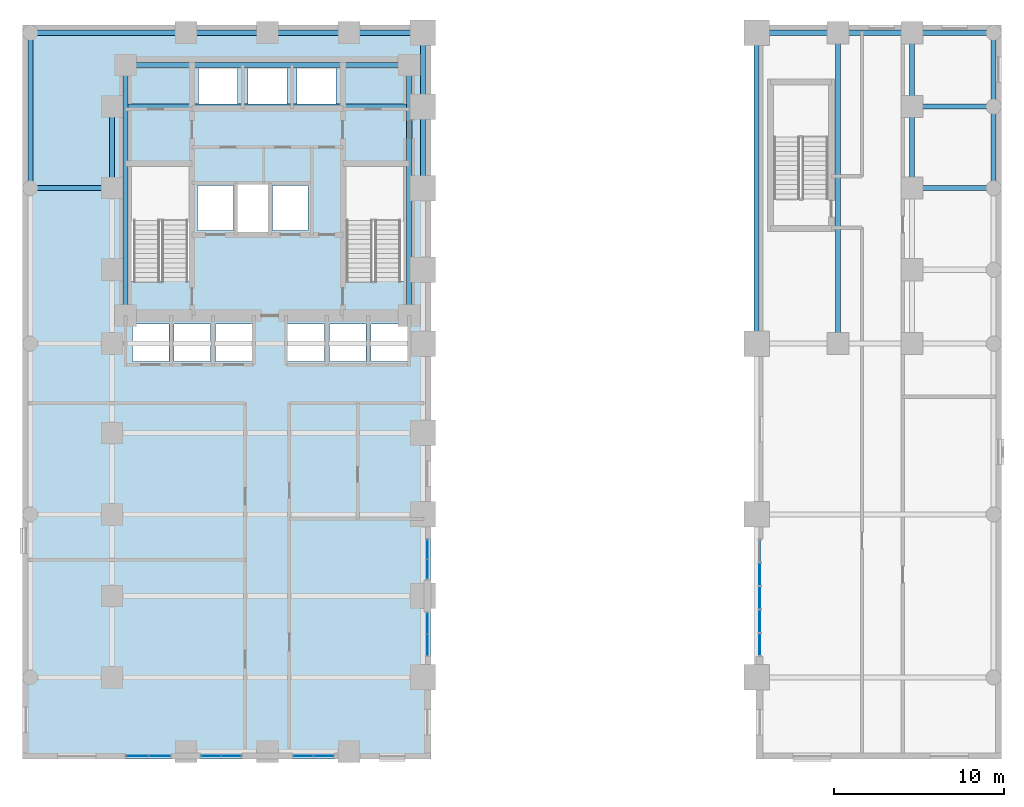
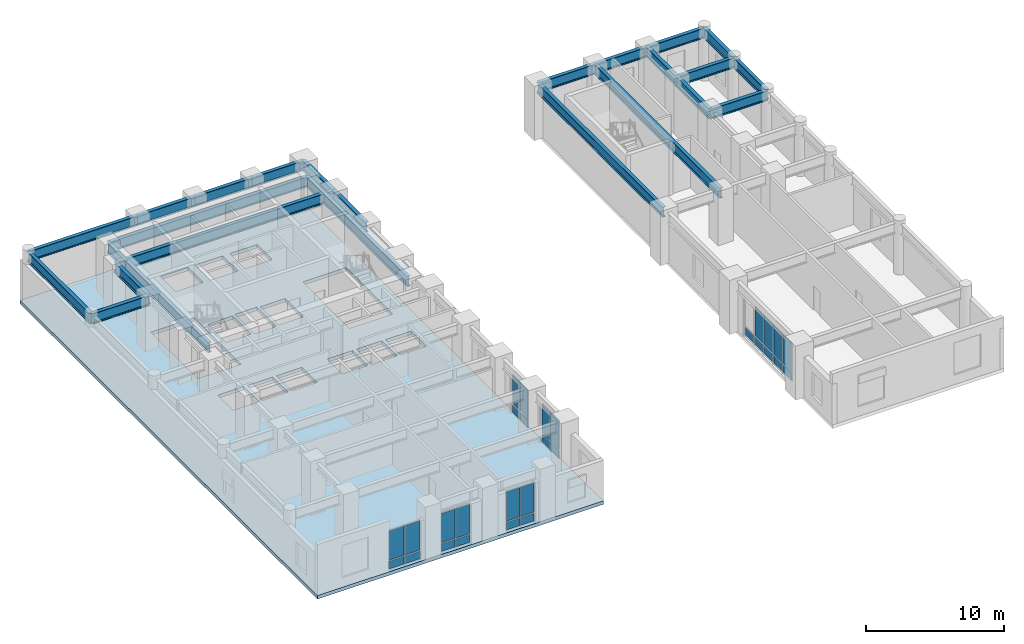
# One storey, part 5 of 11: 29 plates, 24 beams, 1 slab, 6 elements without a shape of their own.
"""IFC4 building model written with IfcOpenShell, lengths in metres."""

from ifc_helpers import new_model, si_unit, direction, frame, origin, origin_2d, place, context, subcontext, project, spatial, polyline, rectangle, i_section, outline, extrude, material, layer, layer_set, material_profile, profile_set, type_object, element, aggregate, save


model = new_model("IFC4")

# Units and contexts
model_context = context("Model", 3, precision=1e-05, world=origin(), true_north=direction((0.0, 1.0)))
body_context = subcontext(model_context, "Body", "Model", "MODEL_VIEW")
ifc_project = project(units=[si_unit("LENGTHUNIT", "METRE"), si_unit("AREAUNIT", "SQUARE_METRE"), si_unit("VOLUMEUNIT", "CUBIC_METRE"), si_unit("PLANEANGLEUNIT", "RADIAN"), si_unit("MASSUNIT", "GRAM", prefix="KILO")], contexts=[model_context])

# Site, building, storey
site_placement = place(None, origin())
site = spatial("IfcSite", under=ifc_project, at=site_placement, CompositionType="ELEMENT")
building_placement = place(site_placement, origin())
building = spatial("IfcBuilding", under=site, at=building_placement, Name="Orvandelia Arch Residences", CompositionType="ELEMENT")
storey_placement = place(building_placement, frame((0.0, 0.0, 5.199951171875)))
storey = spatial("IfcBuildingStorey", under=building, at=storey_placement, Name="L01", CompositionType="ELEMENT", Elevation=5.199951171875)

# Beams
ifc_material_1 = material(Name="Structural Steel HSA650 (650 MPa)", Category="steel")
ifc_material_profile = material_profile(ifc_material_1, i_section(OverallWidth=0.300048828125, OverallDepth=0.89990234375, WebThickness=0.01611328125, FlangeThickness=0.028076171875, FilletRadius=0.028076171875, at=origin_2d()), Name="Structural Steel HSA650 (650 MPa)", Category="steel")
ifc_profile_set = profile_set([ifc_material_profile], Name="Structural Steel HSA650 (650 MPa)")
beam_type = type_object("IfcBeamType", Name="BM-GRD-H900", PredefinedType="BEAM", material=ifc_profile_set)
beam_1_placement = place(storey_placement, frame((0.449951171875, 38.39990234375, 4.070068359375), z_axis=(0.0, 1.0, 0.0), x_axis=(-1.0, 0.0, 0.0)))
element("IfcBeam", 1, at=beam_1_placement, inside=storey, type_object=beam_type, Name="Structural Frame Beam L01-NS-004", PredefinedType="BEAM", context=body_context, shape_type="SweptSolid", body=[
    extrude(i_section(OverallWidth=0.300048828125, OverallDepth=0.89990234375, WebThickness=0.01611328125, FlangeThickness=0.028076171875, FilletRadius=0.028076171875, at=origin_2d()), origin(), (0.0, 0.0, 1.0), 9.150146484375),
])
beam_2_placement = place(storey_placement, frame((5.25, 38.39990234375, 4.070068359375), z_axis=(0.0, 1.0, 0.0), x_axis=(-1.0, 0.0, 0.0)))
element("IfcBeam", 2, at=beam_2_placement, inside=storey, type_object=beam_type, Name="Structural Frame Beam L01-NS-011", PredefinedType="BEAM", context=body_context, shape_type="SweptSolid", body=[
    extrude(i_section(OverallWidth=0.300048828125, OverallDepth=0.89990234375, WebThickness=0.01611328125, FlangeThickness=0.028076171875, FilletRadius=0.028076171875, at=origin_2d()), origin(), (0.0, 0.0, 1.0), 4.800048828125),
])
for number, where, z_axis, x_axis, name in (
    (3, (6.050048828125, 30.89990234375, 4.070068359375), (0.0, 1.0, 0.0), (-1.0, 0.0, 0.0), "Structural Frame Beam L01-NS-012"),
    (4, (22.75, 30.89990234375, 4.070068359375), (0.0, 1.0, 0.0), (-1.0, 0.0, 0.0), "Structural Frame Beam L01-NS-013"),
):
    element("IfcBeam", number, at=place(storey_placement, frame(where, z_axis=z_axis, x_axis=x_axis)), inside=storey, type_object=beam_type, Name=name, PredefinedType="BEAM", context=body_context, shape_type="SweptSolid", body=[
        extrude(i_section(OverallWidth=0.300048828125, OverallDepth=0.89990234375, WebThickness=0.01611328125, FlangeThickness=0.028076171875, FilletRadius=0.028076171875, at=origin_2d()), origin(), (0.0, 0.0, 1.0), 14.75),
    ])
beam_3_placement = place(storey_placement, frame((23.550048828125, 38.39990234375, 4.070068359375), z_axis=(0.0, 1.0, 0.0), x_axis=(-1.0, 0.0, 0.0)))
element("IfcBeam", 5, at=beam_3_placement, inside=storey, type_object=beam_type, Name="Structural Frame Beam L01-NS-020", PredefinedType="BEAM", context=body_context, shape_type="SweptSolid", body=[
    extrude(i_section(OverallWidth=0.300048828125, OverallDepth=0.89990234375, WebThickness=0.01611328125, FlangeThickness=0.028076171875, FilletRadius=0.028076171875, at=origin_2d()), origin(), (0.0, 0.0, 1.0), 4.800048828125),
])
beam_4_placement = place(storey_placement, frame((23.550048828125, 43.199951171875, 4.070068359375), z_axis=(0.0, 1.0, 0.0), x_axis=(-1.0, 0.0, 0.0)))
element("IfcBeam", 6, at=beam_4_placement, inside=storey, type_object=beam_type, Name="Structural Frame Beam L01-NS-021", PredefinedType="BEAM", context=body_context, shape_type="SweptSolid", body=[
    extrude(i_section(OverallWidth=0.300048828125, OverallDepth=0.89990234375, WebThickness=0.01611328125, FlangeThickness=0.028076171875, FilletRadius=0.028076171875, at=origin_2d()), origin(), (0.0, 0.0, 1.0), 4.35009765625),
])
for number, where, z_axis, x_axis, name in (
    (7, (43.199951171875, 29.25, 4.070068359375), (0.0, 1.0, 0.0), (-1.0, 0.0, 0.0), "Structural Frame Beam L01-NS-024"),
    (8, (48.0, 29.25, 4.070068359375), (0.0, 1.0, 0.0), (-1.0, 0.0, 0.0), "Structural Frame Beam L01-NS-025"),
):
    element("IfcBeam", number, at=place(storey_placement, frame(where, z_axis=z_axis, x_axis=x_axis)), inside=storey, type_object=beam_type, Name=name, PredefinedType="BEAM", context=body_context, shape_type="SweptSolid", body=[
        extrude(i_section(OverallWidth=0.300048828125, OverallDepth=0.89990234375, WebThickness=0.01611328125, FlangeThickness=0.028076171875, FilletRadius=0.028076171875, at=origin_2d()), origin(), (0.0, 0.0, 1.0), 18.300048828125),
    ])
beam_5_placement = place(storey_placement, frame((52.35009765625, 38.39990234375, 4.070068359375), z_axis=(0.0, 1.0, 0.0), x_axis=(-1.0, 0.0, 0.0)))
element("IfcBeam", 9, at=beam_5_placement, inside=storey, type_object=beam_type, Name="Structural Frame Beam L01-NS-028", PredefinedType="BEAM", context=body_context, shape_type="SweptSolid", body=[
    extrude(i_section(OverallWidth=0.300048828125, OverallDepth=0.89990234375, WebThickness=0.01611328125, FlangeThickness=0.028076171875, FilletRadius=0.028076171875, at=origin_2d()), origin(), (0.0, 0.0, 1.0), 4.800048828125),
])
beam_6_placement = place(storey_placement, frame((52.35009765625, 43.199951171875, 4.070068359375), z_axis=(0.0, 1.0, 0.0), x_axis=(-1.0, 0.0, 0.0)))
element("IfcBeam", 10, at=beam_6_placement, inside=storey, type_object=beam_type, Name="Structural Frame Beam L01-NS-029", PredefinedType="BEAM", context=body_context, shape_type="SweptSolid", body=[
    extrude(i_section(OverallWidth=0.300048828125, OverallDepth=0.89990234375, WebThickness=0.01611328125, FlangeThickness=0.028076171875, FilletRadius=0.028076171875, at=origin_2d()), origin(), (0.0, 0.0, 1.0), 4.35009765625),
])
beam_7_placement = place(storey_placement, frame((57.14990234375, 38.39990234375, 4.070068359375), z_axis=(0.0, 1.0, 0.0), x_axis=(-1.0, 0.0, 0.0)))
element("IfcBeam", 11, at=beam_7_placement, inside=storey, type_object=beam_type, Name="Structural Frame Beam L01-NS-034", PredefinedType="BEAM", context=body_context, shape_type="SweptSolid", body=[
    extrude(i_section(OverallWidth=0.300048828125, OverallDepth=0.89990234375, WebThickness=0.01611328125, FlangeThickness=0.028076171875, FilletRadius=0.028076171875, at=origin_2d()), origin(), (0.0, 0.0, 1.0), 4.800048828125),
])
beam_8_placement = place(storey_placement, frame((57.14990234375, 43.199951171875, 4.070068359375), z_axis=(0.0, 1.0, 0.0), x_axis=(-1.0, 0.0, 0.0)))
element("IfcBeam", 12, at=beam_8_placement, inside=storey, type_object=beam_type, Name="Structural Frame Beam L01-NS-035", PredefinedType="BEAM", context=body_context, shape_type="SweptSolid", body=[
    extrude(i_section(OverallWidth=0.300048828125, OverallDepth=0.89990234375, WebThickness=0.01611328125, FlangeThickness=0.028076171875, FilletRadius=0.028076171875, at=origin_2d()), origin(), (0.0, 0.0, 1.0), 4.35009765625),
])
beam_9_placement = place(storey_placement, frame((0.449951171875, 38.39990234375, 4.070068359375), z_axis=(1.0, 0.0, 0.0), x_axis=(0.0, 1.0, 0.0)))
element("IfcBeam", 13, at=beam_9_placement, inside=storey, type_object=beam_type, Name="Structural Frame Girder L01-EW-054", PredefinedType="BEAM", context=body_context, shape_type="SweptSolid", body=[
    extrude(i_section(OverallWidth=0.300048828125, OverallDepth=0.89990234375, WebThickness=0.01611328125, FlangeThickness=0.028076171875, FilletRadius=0.028076171875, at=origin_2d()), origin(), (0.0, 0.0, 1.0), 4.800048828125),
])
beam_10_placement = place(storey_placement, frame((52.35009765625, 38.39990234375, 4.070068359375), z_axis=(1.0, 0.0, 0.0), x_axis=(0.0, 1.0, 0.0)))
element("IfcBeam", 14, at=beam_10_placement, inside=storey, type_object=beam_type, Name="Structural Frame Girder L01-EW-056", PredefinedType="BEAM", context=body_context, shape_type="SweptSolid", body=[
    extrude(i_section(OverallWidth=0.300048828125, OverallDepth=0.89990234375, WebThickness=0.01611328125, FlangeThickness=0.028076171875, FilletRadius=0.028076171875, at=origin_2d()), origin(), (0.0, 0.0, 1.0), 4.7998046875),
])
beam_11_placement = place(storey_placement, frame((5.25, 43.199951171875, 4.070068359375), z_axis=(1.0, 0.0, 0.0), x_axis=(0.0, 1.0, 0.0)))
element("IfcBeam", 15, at=beam_11_placement, inside=storey, type_object=beam_type, Name="Structural Frame Girder L01-EW-057", PredefinedType="BEAM", context=body_context, shape_type="SweptSolid", body=[
    extrude(i_section(OverallWidth=0.300048828125, OverallDepth=0.89990234375, WebThickness=0.01611328125, FlangeThickness=0.028076171875, FilletRadius=0.028076171875, at=origin_2d()), origin(), (0.0, 0.0, 1.0), 18.300048828125),
])
beam_12_placement = place(storey_placement, frame((52.35009765625, 43.199951171875, 4.070068359375), z_axis=(1.0, 0.0, 0.0), x_axis=(0.0, 1.0, 0.0)))
element("IfcBeam", 16, at=beam_12_placement, inside=storey, type_object=beam_type, Name="Structural Frame Girder L01-EW-058", PredefinedType="BEAM", context=body_context, shape_type="SweptSolid", body=[
    extrude(i_section(OverallWidth=0.300048828125, OverallDepth=0.89990234375, WebThickness=0.01611328125, FlangeThickness=0.028076171875, FilletRadius=0.028076171875, at=origin_2d()), origin(), (0.0, 0.0, 1.0), 4.7998046875),
])
beam_13_placement = place(storey_placement, frame((6.050048828125, 45.64990234375, 4.070068359375), z_axis=(1.0, 0.0, 0.0), x_axis=(0.0, 1.0, 0.0)))
element("IfcBeam", 17, at=beam_13_placement, inside=storey, type_object=beam_type, Name="Structural Frame Girder L01-EW-059", PredefinedType="BEAM", context=body_context, shape_type="SweptSolid", body=[
    extrude(i_section(OverallWidth=0.300048828125, OverallDepth=0.89990234375, WebThickness=0.01611328125, FlangeThickness=0.028076171875, FilletRadius=0.028076171875, at=origin_2d()), origin(), (0.0, 0.0, 1.0), 16.699951171875),
])
beam_14_placement = place(storey_placement, frame((0.449951171875, 47.550048828125, 4.070068359375), z_axis=(1.0, 0.0, 0.0), x_axis=(0.0, 1.0, 0.0)))
element("IfcBeam", 18, at=beam_14_placement, inside=storey, type_object=beam_type, Name="Structural Frame Girder L01-EW-060", PredefinedType="BEAM", context=body_context, shape_type="SweptSolid", body=[
    extrude(i_section(OverallWidth=0.300048828125, OverallDepth=0.89990234375, WebThickness=0.01611328125, FlangeThickness=0.028076171875, FilletRadius=0.028076171875, at=origin_2d()), origin(), (0.0, 0.0, 1.0), 9.150146484375),
])
beam_15_placement = place(storey_placement, frame((9.60009765625, 47.550048828125, 4.070068359375), z_axis=(1.0, 0.0, 0.0), x_axis=(0.0, 1.0, 0.0)))
element("IfcBeam", 19, at=beam_15_placement, inside=storey, type_object=beam_type, Name="Structural Frame Girder L01-EW-061", PredefinedType="BEAM", context=body_context, shape_type="SweptSolid", body=[
    extrude(i_section(OverallWidth=0.300048828125, OverallDepth=0.89990234375, WebThickness=0.01611328125, FlangeThickness=0.028076171875, FilletRadius=0.028076171875, at=origin_2d()), origin(), (0.0, 0.0, 1.0), 4.7998046875),
])
beam_16_placement = place(storey_placement, frame((14.39990234375, 47.550048828125, 4.070068359375), z_axis=(1.0, 0.0, 0.0), x_axis=(0.0, 1.0, 0.0)))
element("IfcBeam", 20, at=beam_16_placement, inside=storey, type_object=beam_type, Name="Structural Frame Girder L01-EW-062", PredefinedType="BEAM", context=body_context, shape_type="SweptSolid", body=[
    extrude(i_section(OverallWidth=0.300048828125, OverallDepth=0.89990234375, WebThickness=0.01611328125, FlangeThickness=0.028076171875, FilletRadius=0.028076171875, at=origin_2d()), origin(), (0.0, 0.0, 1.0), 4.800048828125),
])
beam_17_placement = place(storey_placement, frame((19.199951171875, 47.550048828125, 4.070068359375), z_axis=(1.0, 0.0, 0.0), x_axis=(0.0, 1.0, 0.0)))
element("IfcBeam", 21, at=beam_17_placement, inside=storey, type_object=beam_type, Name="Structural Frame Girder L01-EW-063", PredefinedType="BEAM", context=body_context, shape_type="SweptSolid", body=[
    extrude(i_section(OverallWidth=0.300048828125, OverallDepth=0.89990234375, WebThickness=0.01611328125, FlangeThickness=0.028076171875, FilletRadius=0.028076171875, at=origin_2d()), origin(), (0.0, 0.0, 1.0), 4.35009765625),
])
beam_18_placement = place(storey_placement, frame((43.199951171875, 47.550048828125, 4.070068359375), z_axis=(1.0, 0.0, 0.0), x_axis=(0.0, 1.0, 0.0)))
element("IfcBeam", 22, at=beam_18_placement, inside=storey, type_object=beam_type, Name="Structural Frame Girder L01-EW-064", PredefinedType="BEAM", context=body_context, shape_type="SweptSolid", body=[
    extrude(i_section(OverallWidth=0.300048828125, OverallDepth=0.89990234375, WebThickness=0.01611328125, FlangeThickness=0.028076171875, FilletRadius=0.028076171875, at=origin_2d()), origin(), (0.0, 0.0, 1.0), 4.800048828125),
])
beam_19_placement = place(storey_placement, frame((48.0, 47.550048828125, 4.070068359375), z_axis=(1.0, 0.0, 0.0), x_axis=(0.0, 1.0, 0.0)))
element("IfcBeam", 23, at=beam_19_placement, inside=storey, type_object=beam_type, Name="Structural Frame Girder L01-EW-065", PredefinedType="BEAM", context=body_context, shape_type="SweptSolid", body=[
    extrude(i_section(OverallWidth=0.300048828125, OverallDepth=0.89990234375, WebThickness=0.01611328125, FlangeThickness=0.028076171875, FilletRadius=0.028076171875, at=origin_2d()), origin(), (0.0, 0.0, 1.0), 4.35009765625),
])
beam_20_placement = place(storey_placement, frame((52.35009765625, 47.550048828125, 4.070068359375), z_axis=(1.0, 0.0, 0.0), x_axis=(0.0, 1.0, 0.0)))
element("IfcBeam", 24, at=beam_20_placement, inside=storey, type_object=beam_type, Name="Structural Frame Girder L01-EW-066", PredefinedType="BEAM", context=body_context, shape_type="SweptSolid", body=[
    extrude(i_section(OverallWidth=0.300048828125, OverallDepth=0.89990234375, WebThickness=0.01611328125, FlangeThickness=0.028076171875, FilletRadius=0.028076171875, at=origin_2d()), origin(), (0.0, 0.0, 1.0), 4.7998046875),
])

# Curtain wall, plates
ifc_material_2 = material(Name="Anodised Bronze Curtain Wall Assembly")
curtain_wall_type_1 = type_object("IfcCurtainWallType", Name="CW-SYS1-PODIUM", PredefinedType="NOTDEFINED", material=ifc_material_2)
curtain_wall_1_placement = place(storey_placement, origin())
curtain_wall_1 = element("IfcCurtainWall", 25, at=curtain_wall_1_placement, inside=storey, type_object=curtain_wall_type_1, Name="Podium Gallery Curtain Wall L01 1", PredefinedType="NOTDEFINED")
ifc_material_3 = material(Name="Insulated Bronze Aluminium Spandrel Panel", Category="aluminium")
ifc_layer_1 = layer(ifc_material_3, 0.0400390625, Name="Insulated Bronze Aluminium Spandrel Panel", Category="aluminium")
ifc_layer_set_1 = layer_set([ifc_layer_1], Name="Insulated Bronze Aluminium Spandrel Panel")
plate_type_1 = type_object("IfcPlateType", Name="CW-PANEL-SPANDREL", PredefinedType="SHEET", material=ifc_layer_set_1)
plate_1_placement = place(storey_placement, frame((6.737548828125, 4.97998046875, 0.125), z_axis=(0.0, 0.0, 1.0), x_axis=(1.0, 0.0, 0.0)))
plate_1 = element("IfcPlate", 26, at=plate_1_placement, type_object=plate_type_1, Name="Curtain Wall Spandrel Panel CW-L01-1-PS1", PredefinedType="SHEET", context=body_context, shape_type="SweptSolid", body=[
    extrude(rectangle(XDim=1.264892578125, YDim=0.0400390625, at=origin_2d()), origin(), (0.0, 0.0, 1.0), 0.669921875),
])
plate_2_placement = place(storey_placement, frame((8.052490234375, 4.97998046875, 0.125), z_axis=(0.0, 0.0, 1.0), x_axis=(1.0, 0.0, 0.0)))
plate_2 = element("IfcPlate", 27, at=plate_2_placement, type_object=plate_type_1, Name="Curtain Wall Spandrel Panel CW-L01-1-PS2", PredefinedType="SHEET", context=body_context, shape_type="SweptSolid", body=[
    extrude(rectangle(XDim=1.264892578125, YDim=0.0400390625, at=origin_2d()), origin(), (0.0, 0.0, 1.0), 0.669921875),
])

curtain_wall_2_placement = place(storey_placement, origin())
curtain_wall_2 = element("IfcCurtainWall", 28, at=curtain_wall_2_placement, inside=storey, type_object=curtain_wall_type_1, Name="Podium Gallery Curtain Wall L01 2", PredefinedType="NOTDEFINED")
plate_3_placement = place(storey_placement, frame((11.08740234375, 4.97998046875, 0.125), z_axis=(0.0, 0.0, 1.0), x_axis=(1.0, 0.0, 0.0)))
plate_3 = element("IfcPlate", 29, at=plate_3_placement, type_object=plate_type_1, Name="Curtain Wall Spandrel Panel CW-L01-2-PS1", PredefinedType="SHEET", context=body_context, shape_type="SweptSolid", body=[
    extrude(rectangle(XDim=1.14501953125, YDim=0.0400390625, at=origin_2d()), origin(), (0.0, 0.0, 1.0), 0.669921875),
])
plate_4_placement = place(storey_placement, frame((12.282470703125, 4.97998046875, 0.125), z_axis=(0.0, 0.0, 1.0), x_axis=(1.0, 0.0, 0.0)))
plate_4 = element("IfcPlate", 30, at=plate_4_placement, type_object=plate_type_1, Name="Curtain Wall Spandrel Panel CW-L01-2-PS2", PredefinedType="SHEET", context=body_context, shape_type="SweptSolid", body=[
    extrude(rectangle(XDim=1.14501953125, YDim=0.0400390625, at=origin_2d()), origin(), (0.0, 0.0, 1.0), 0.669921875),
])

curtain_wall_3_placement = place(storey_placement, origin())
curtain_wall_3 = element("IfcCurtainWall", 31, at=curtain_wall_3_placement, inside=storey, type_object=curtain_wall_type_1, Name="Podium Gallery Curtain Wall L01 3", PredefinedType="NOTDEFINED")
plate_5_placement = place(storey_placement, frame((16.517578125, 4.97998046875, 0.125), z_axis=(0.0, 0.0, 1.0), x_axis=(1.0, 0.0, 0.0)))
plate_5 = element("IfcPlate", 32, at=plate_5_placement, type_object=plate_type_1, Name="Curtain Wall Spandrel Panel CW-L01-3-PS1", PredefinedType="SHEET", context=body_context, shape_type="SweptSolid", body=[
    extrude(rectangle(XDim=1.14501953125, YDim=0.0400390625, at=origin_2d()), origin(), (0.0, 0.0, 1.0), 0.669921875),
])
plate_6_placement = place(storey_placement, frame((17.71240234375, 4.97998046875, 0.125), z_axis=(0.0, 0.0, 1.0), x_axis=(1.0, 0.0, 0.0)))
plate_6 = element("IfcPlate", 33, at=plate_6_placement, type_object=plate_type_1, Name="Curtain Wall Spandrel Panel CW-L01-3-PS2", PredefinedType="SHEET", context=body_context, shape_type="SweptSolid", body=[
    extrude(rectangle(XDim=1.14501953125, YDim=0.0400390625, at=origin_2d()), origin(), (0.0, 0.0, 1.0), 0.669921875),
])

curtain_wall_type_2 = type_object("IfcCurtainWallType", Name="CW-SYS2-ARCH", PredefinedType="NOTDEFINED", material=ifc_material_2)
curtain_wall_4_placement = place(storey_placement, origin())
curtain_wall_4 = element("IfcCurtainWall", 34, at=curtain_wall_4_placement, inside=storey, type_object=curtain_wall_type_2, Name="Arch West Cheek Glazing L01 4", PredefinedType="NOTDEFINED")
plate_7_placement = place(storey_placement, frame((23.820068359375, 11.512451171875, 0.125), z_axis=(0.0, 0.0, 1.0), x_axis=(0.0, 1.0, 0.0)))
plate_7 = element("IfcPlate", 35, at=plate_7_placement, type_object=plate_type_1, Name="Curtain Wall Spandrel Panel CW-L01-4-PS1", PredefinedType="SHEET", context=body_context, shape_type="SweptSolid", body=[
    extrude(rectangle(XDim=1.215087890625, YDim=0.0400390625, at=origin_2d()), origin(), (0.0, 0.0, 1.0), 0.669921875),
])
plate_8_placement = place(storey_placement, frame((23.820068359375, 12.777587890625, 0.125), z_axis=(0.0, 0.0, 1.0), x_axis=(0.0, 1.0, 0.0)))
plate_8 = element("IfcPlate", 36, at=plate_8_placement, type_object=plate_type_1, Name="Curtain Wall Spandrel Panel CW-L01-4-PS2", PredefinedType="SHEET", context=body_context, shape_type="SweptSolid", body=[
    extrude(rectangle(XDim=1.215087890625, YDim=0.0400390625, at=origin_2d()), origin(), (0.0, 0.0, 1.0), 0.669921875),
])

curtain_wall_5_placement = place(storey_placement, origin())
curtain_wall_5 = element("IfcCurtainWall", 37, at=curtain_wall_5_placement, inside=storey, type_object=curtain_wall_type_2, Name="Arch West Cheek Glazing L01 5", PredefinedType="NOTDEFINED")
plate_9_placement = place(storey_placement, frame((23.820068359375, 15.972412109375, 0.125), z_axis=(0.0, 0.0, 1.0), x_axis=(0.0, 1.0, 0.0)))
plate_9 = element("IfcPlate", 38, at=plate_9_placement, type_object=plate_type_1, Name="Curtain Wall Spandrel Panel CW-L01-5-PS1", PredefinedType="SHEET", context=body_context, shape_type="SweptSolid", body=[
    extrude(rectangle(XDim=1.114990234375, YDim=0.0400390625, at=origin_2d()), origin(), (0.0, 0.0, 1.0), 0.669921875),
])
plate_10_placement = place(storey_placement, frame((23.820068359375, 17.137451171875, 0.125), z_axis=(0.0, 0.0, 1.0), x_axis=(0.0, 1.0, 0.0)))
plate_10 = element("IfcPlate", 39, at=plate_10_placement, type_object=plate_type_1, Name="Curtain Wall Spandrel Panel CW-L01-5-PS2", PredefinedType="SHEET", context=body_context, shape_type="SweptSolid", body=[
    extrude(rectangle(XDim=1.114990234375, YDim=0.0400390625, at=origin_2d()), origin(), (0.0, 0.0, 1.0), 0.669921875),
])

curtain_wall_6_placement = place(storey_placement, origin())
curtain_wall_6 = element("IfcCurtainWall", 40, at=curtain_wall_6_placement, inside=storey, type_object=curtain_wall_type_2, Name="Arch East Cheek Glazing L01 6", PredefinedType="NOTDEFINED")
plate_11_placement = place(storey_placement, frame((43.3798828125, 11.552001953125, 0.125), z_axis=(0.0, 0.0, 1.0), x_axis=(0.0, 1.0, 0.0)))
plate_11 = element("IfcPlate", 41, at=plate_11_placement, type_object=plate_type_1, Name="Curtain Wall Spandrel Panel CW-L01-6-PS1", PredefinedType="SHEET", context=body_context, shape_type="SweptSolid", body=[
    extrude(rectangle(XDim=1.2939453125, YDim=0.0400390625, at=origin_2d()), origin(), (0.0, 0.0, 1.0), 0.669921875),
])
plate_12_placement = place(storey_placement, frame((43.3798828125, 12.916015625, 0.125), z_axis=(0.0, 0.0, 1.0), x_axis=(0.0, 1.0, 0.0)))
plate_12 = element("IfcPlate", 42, at=plate_12_placement, type_object=plate_type_1, Name="Curtain Wall Spandrel Panel CW-L01-6-PS2", PredefinedType="SHEET", context=body_context, shape_type="SweptSolid", body=[
    extrude(rectangle(XDim=1.333984375, YDim=0.0400390625, at=origin_2d()), origin(), (0.0, 0.0, 1.0), 0.669921875),
])
plate_13_placement = place(storey_placement, frame((43.3798828125, 14.300048828125, 0.125), z_axis=(0.0, 0.0, 1.0), x_axis=(0.0, 1.0, 0.0)))
plate_13 = element("IfcPlate", 43, at=plate_13_placement, type_object=plate_type_1, Name="Curtain Wall Spandrel Panel CW-L01-6-PS3", PredefinedType="SHEET", context=body_context, shape_type="SweptSolid", body=[
    extrude(rectangle(XDim=1.333984375, YDim=0.0400390625, at=origin_2d()), origin(), (0.0, 0.0, 1.0), 0.669921875),
])
plate_14_placement = place(storey_placement, frame((43.3798828125, 15.68408203125, 0.125), z_axis=(0.0, 0.0, 1.0), x_axis=(0.0, 1.0, 0.0)))
plate_14 = element("IfcPlate", 44, at=plate_14_placement, type_object=plate_type_1, Name="Curtain Wall Spandrel Panel CW-L01-6-PS4", PredefinedType="SHEET", context=body_context, shape_type="SweptSolid", body=[
    extrude(rectangle(XDim=1.333984375, YDim=0.0400390625, at=origin_2d()), origin(), (0.0, 0.0, 1.0), 0.669921875),
])
plate_15_placement = place(storey_placement, frame((43.3798828125, 17.048095703125, 0.125), z_axis=(0.0, 0.0, 1.0), x_axis=(0.0, 1.0, 0.0)))
plate_15 = element("IfcPlate", 45, at=plate_15_placement, type_object=plate_type_1, Name="Curtain Wall Spandrel Panel CW-L01-6-PS5", PredefinedType="SHEET", context=body_context, shape_type="SweptSolid", body=[
    extrude(rectangle(XDim=1.2939453125, YDim=0.0400390625, at=origin_2d()), origin(), (0.0, 0.0, 1.0), 0.669921875),
])

# Plate
ifc_material_4 = material(Name="Low-E Laminated Double Glazing", Category="glass")
ifc_layer_2 = layer(ifc_material_4, 0.031982421875, Name="Low-E Laminated Double Glazing", Category="glass")
ifc_layer_set_2 = layer_set([ifc_layer_2], Name="Low-E Laminated Double Glazing")
plate_type_2 = type_object("IfcPlateType", Name="CW-PANEL-VISION", PredefinedType="CURTAIN_PANEL", material=ifc_layer_set_2)
plate_16_placement = place(storey_placement, frame((6.737548828125, 4.97998046875, 0.90478515625), z_axis=(0.0, 0.0, 1.0), x_axis=(1.0, 0.0, 0.0)))
plate_16 = element("IfcPlate", 46, at=plate_16_placement, type_object=plate_type_2, Name="Curtain Wall Vision Glass Panel CW-L01-1-PV1", PredefinedType="CURTAIN_PANEL", context=body_context, shape_type="SweptSolid", body=[
    extrude(rectangle(XDim=1.264892578125, YDim=0.031982421875, at=origin_2d()), origin(), (0.0, 0.0, 1.0), 2.590087890625),
])

plate_17_placement = place(storey_placement, frame((8.052490234375, 4.97998046875, 0.90478515625), z_axis=(0.0, 0.0, 1.0), x_axis=(1.0, 0.0, 0.0)))
plate_17 = element("IfcPlate", 47, at=plate_17_placement, type_object=plate_type_2, Name="Curtain Wall Vision Glass Panel CW-L01-1-PV2", PredefinedType="CURTAIN_PANEL", context=body_context, shape_type="SweptSolid", body=[
    extrude(rectangle(XDim=1.264892578125, YDim=0.031982421875, at=origin_2d()), origin(), (0.0, 0.0, 1.0), 2.590087890625),
])

aggregate(curtain_wall_1, [plate_1, plate_16, plate_2, plate_17])

plate_18_placement = place(storey_placement, frame((11.08740234375, 4.97998046875, 0.90478515625), z_axis=(0.0, 0.0, 1.0), x_axis=(1.0, 0.0, 0.0)))
plate_18 = element("IfcPlate", 48, at=plate_18_placement, type_object=plate_type_2, Name="Curtain Wall Vision Glass Panel CW-L01-2-PV1", PredefinedType="CURTAIN_PANEL", context=body_context, shape_type="SweptSolid", body=[
    extrude(rectangle(XDim=1.14501953125, YDim=0.031982421875, at=origin_2d()), origin(), (0.0, 0.0, 1.0), 2.590087890625),
])

plate_19_placement = place(storey_placement, frame((12.282470703125, 4.97998046875, 0.90478515625), z_axis=(0.0, 0.0, 1.0), x_axis=(1.0, 0.0, 0.0)))
plate_19 = element("IfcPlate", 49, at=plate_19_placement, type_object=plate_type_2, Name="Curtain Wall Vision Glass Panel CW-L01-2-PV2", PredefinedType="CURTAIN_PANEL", context=body_context, shape_type="SweptSolid", body=[
    extrude(rectangle(XDim=1.14501953125, YDim=0.031982421875, at=origin_2d()), origin(), (0.0, 0.0, 1.0), 2.590087890625),
])

aggregate(curtain_wall_2, [plate_3, plate_18, plate_4, plate_19])

plate_20_placement = place(storey_placement, frame((16.517578125, 4.97998046875, 0.90478515625), z_axis=(0.0, 0.0, 1.0), x_axis=(1.0, 0.0, 0.0)))
plate_20 = element("IfcPlate", 50, at=plate_20_placement, type_object=plate_type_2, Name="Curtain Wall Vision Glass Panel CW-L01-3-PV1", PredefinedType="CURTAIN_PANEL", context=body_context, shape_type="SweptSolid", body=[
    extrude(rectangle(XDim=1.14501953125, YDim=0.031982421875, at=origin_2d()), origin(), (0.0, 0.0, 1.0), 2.590087890625),
])

plate_21_placement = place(storey_placement, frame((17.71240234375, 4.97998046875, 0.90478515625), z_axis=(0.0, 0.0, 1.0), x_axis=(1.0, 0.0, 0.0)))
plate_21 = element("IfcPlate", 51, at=plate_21_placement, type_object=plate_type_2, Name="Curtain Wall Vision Glass Panel CW-L01-3-PV2", PredefinedType="CURTAIN_PANEL", context=body_context, shape_type="SweptSolid", body=[
    extrude(rectangle(XDim=1.14501953125, YDim=0.031982421875, at=origin_2d()), origin(), (0.0, 0.0, 1.0), 2.590087890625),
])

aggregate(curtain_wall_3, [plate_5, plate_20, plate_6, plate_21])

plate_22_placement = place(storey_placement, frame((23.820068359375, 11.512451171875, 0.90478515625), z_axis=(0.0, 0.0, 1.0), x_axis=(0.0, 1.0, 0.0)))
plate_22 = element("IfcPlate", 52, at=plate_22_placement, type_object=plate_type_2, Name="Curtain Wall Vision Glass Panel CW-L01-4-PV1", PredefinedType="CURTAIN_PANEL", context=body_context, shape_type="SweptSolid", body=[
    extrude(rectangle(XDim=1.215087890625, YDim=0.031982421875, at=origin_2d()), origin(), (0.0, 0.0, 1.0), 2.590087890625),
])

plate_23_placement = place(storey_placement, frame((23.820068359375, 12.777587890625, 0.90478515625), z_axis=(0.0, 0.0, 1.0), x_axis=(0.0, 1.0, 0.0)))
plate_23 = element("IfcPlate", 53, at=plate_23_placement, type_object=plate_type_2, Name="Curtain Wall Vision Glass Panel CW-L01-4-PV2", PredefinedType="CURTAIN_PANEL", context=body_context, shape_type="SweptSolid", body=[
    extrude(rectangle(XDim=1.215087890625, YDim=0.031982421875, at=origin_2d()), origin(), (0.0, 0.0, 1.0), 2.590087890625),
])

aggregate(curtain_wall_4, [plate_7, plate_22, plate_8, plate_23])

plate_24_placement = place(storey_placement, frame((23.820068359375, 15.972412109375, 0.90478515625), z_axis=(0.0, 0.0, 1.0), x_axis=(0.0, 1.0, 0.0)))
plate_24 = element("IfcPlate", 54, at=plate_24_placement, type_object=plate_type_2, Name="Curtain Wall Vision Glass Panel CW-L01-5-PV1", PredefinedType="CURTAIN_PANEL", context=body_context, shape_type="SweptSolid", body=[
    extrude(rectangle(XDim=1.114990234375, YDim=0.031982421875, at=origin_2d()), origin(), (0.0, 0.0, 1.0), 2.590087890625),
])

plate_25_placement = place(storey_placement, frame((23.820068359375, 17.137451171875, 0.90478515625), z_axis=(0.0, 0.0, 1.0), x_axis=(0.0, 1.0, 0.0)))
plate_25 = element("IfcPlate", 55, at=plate_25_placement, type_object=plate_type_2, Name="Curtain Wall Vision Glass Panel CW-L01-5-PV2", PredefinedType="CURTAIN_PANEL", context=body_context, shape_type="SweptSolid", body=[
    extrude(rectangle(XDim=1.114990234375, YDim=0.031982421875, at=origin_2d()), origin(), (0.0, 0.0, 1.0), 2.590087890625),
])

aggregate(curtain_wall_5, [plate_9, plate_24, plate_10, plate_25])

plate_26_placement = place(storey_placement, frame((43.3798828125, 11.552001953125, 0.90478515625), z_axis=(0.0, 0.0, 1.0), x_axis=(0.0, 1.0, 0.0)))
plate_26 = element("IfcPlate", 56, at=plate_26_placement, type_object=plate_type_2, Name="Curtain Wall Vision Glass Panel CW-L01-6-PV1", PredefinedType="CURTAIN_PANEL", context=body_context, shape_type="SweptSolid", body=[
    extrude(rectangle(XDim=1.2939453125, YDim=0.031982421875, at=origin_2d()), origin(), (0.0, 0.0, 1.0), 2.590087890625),
])

plate_27_placement = place(storey_placement, frame((43.3798828125, 12.916015625, 0.90478515625), z_axis=(0.0, 0.0, 1.0), x_axis=(0.0, 1.0, 0.0)))
plate_27 = element("IfcPlate", 57, at=plate_27_placement, type_object=plate_type_2, Name="Curtain Wall Vision Glass Panel CW-L01-6-PV2", PredefinedType="CURTAIN_PANEL", context=body_context, shape_type="SweptSolid", body=[
    extrude(rectangle(XDim=1.333984375, YDim=0.031982421875, at=origin_2d()), origin(), (0.0, 0.0, 1.0), 2.590087890625),
])

plate_28_placement = place(storey_placement, frame((43.3798828125, 14.300048828125, 0.90478515625), z_axis=(0.0, 0.0, 1.0), x_axis=(0.0, 1.0, 0.0)))
plate_28 = element("IfcPlate", 58, at=plate_28_placement, type_object=plate_type_2, Name="Curtain Wall Vision Glass Panel CW-L01-6-PV3", PredefinedType="CURTAIN_PANEL", context=body_context, shape_type="SweptSolid", body=[
    extrude(rectangle(XDim=1.333984375, YDim=0.031982421875, at=origin_2d()), origin(), (0.0, 0.0, 1.0), 2.590087890625),
])

plate_29_placement = place(storey_placement, frame((43.3798828125, 15.68408203125, 0.90478515625), z_axis=(0.0, 0.0, 1.0), x_axis=(0.0, 1.0, 0.0)))
plate_29 = element("IfcPlate", 59, at=plate_29_placement, type_object=plate_type_2, Name="Curtain Wall Vision Glass Panel CW-L01-6-PV4", PredefinedType="CURTAIN_PANEL", context=body_context, shape_type="SweptSolid", body=[
    extrude(rectangle(XDim=1.333984375, YDim=0.031982421875, at=origin_2d()), origin(), (0.0, 0.0, 1.0), 2.590087890625),
])

aggregate(curtain_wall_6, [plate_11, plate_26, plate_12, plate_27, plate_13, plate_28, plate_14, plate_29, plate_15])

# Slab
ifc_material_5 = material(Name="Concrete C40/50", Category="concrete")
ifc_layer_3 = layer(ifc_material_5, 0.31005859375, Name="Concrete C40/50", Category="concrete")
ifc_layer_set_3 = layer_set([ifc_layer_3], Name="Concrete C40/50")
slab_type = type_object("IfcSlabType", Name="SLB-POD-310", PredefinedType="FLOOR", material=ifc_layer_set_3)
slab_placement = place(storey_placement, frame((0.0, 0.0, -0.31005859375)))
element("IfcSlab", 60, at=slab_placement, inside=storey, type_object=slab_type, Name="Structural Floor Slab L01-1", PredefinedType="FLOOR", context=body_context, shape_type="SweptSolid", body=[
    extrude(outline(polyline([(0.0, 4.800048828125), (24.0, 4.800048828125), (24.0, 48.0), (0.0, 48.0), (0.0, 4.800048828125)]), holes=[polyline([(6.219970703125, 32.949951171875), (9.840087890625, 32.949951171875), (9.840087890625, 39.72998046875), (6.219970703125, 39.72998046875), (6.219970703125, 32.949951171875)]), polyline([(18.9599609375, 32.949951171875), (22.580078125, 32.949951171875), (22.580078125, 39.72998046875), (18.9599609375, 39.72998046875), (18.9599609375, 32.949951171875)]), polyline([(12.639892578125, 35.81005859375), (14.4599609375, 35.81005859375), (14.4599609375, 38.639892578125), (12.639892578125, 38.639892578125), (12.639892578125, 35.81005859375)]), polyline([(10.300048828125, 35.89990234375), (12.39990234375, 35.89990234375), (12.39990234375, 38.550048828125), (10.300048828125, 38.550048828125), (10.300048828125, 35.89990234375)]), polyline([(14.699951171875, 35.89990234375), (16.800048828125, 35.89990234375), (16.800048828125, 38.550048828125), (14.699951171875, 38.550048828125), (14.699951171875, 35.89990234375)]), polyline([(10.35009765625, 43.300048828125), (12.64990234375, 43.300048828125), (12.64990234375, 45.5), (10.35009765625, 45.5), (10.35009765625, 43.300048828125)]), polyline([(13.25, 43.300048828125), (15.550048828125, 43.300048828125), (15.550048828125, 45.5), (13.25, 45.5), (13.25, 43.300048828125)]), polyline([(16.14990234375, 43.300048828125), (18.449951171875, 43.300048828125), (18.449951171875, 45.5), (16.14990234375, 45.5), (16.14990234375, 43.300048828125)]), polyline([(6.449951171875, 28.199951171875), (8.60009765625, 28.199951171875), (8.60009765625, 30.39990234375), (6.449951171875, 30.39990234375), (6.449951171875, 28.199951171875)]), polyline([(8.89990234375, 28.199951171875), (11.050048828125, 28.199951171875), (11.050048828125, 30.39990234375), (8.89990234375, 30.39990234375), (8.89990234375, 28.199951171875)]), polyline([(11.35009765625, 28.199951171875), (13.5, 28.199951171875), (13.5, 30.39990234375), (11.35009765625, 30.39990234375), (11.35009765625, 28.199951171875)]), polyline([(15.60009765625, 28.199951171875), (17.75, 28.199951171875), (17.75, 30.39990234375), (15.60009765625, 30.39990234375), (15.60009765625, 28.199951171875)]), polyline([(18.050048828125, 28.199951171875), (20.199951171875, 28.199951171875), (20.199951171875, 30.39990234375), (18.050048828125, 30.39990234375), (18.050048828125, 28.199951171875)]), polyline([(20.5, 28.199951171875), (22.64990234375, 28.199951171875), (22.64990234375, 30.39990234375), (20.5, 30.39990234375), (20.5, 28.199951171875)])]), origin(), (0.0, 0.0, 1.0), 0.31005859375),
])

save(model, "model.ifc")
